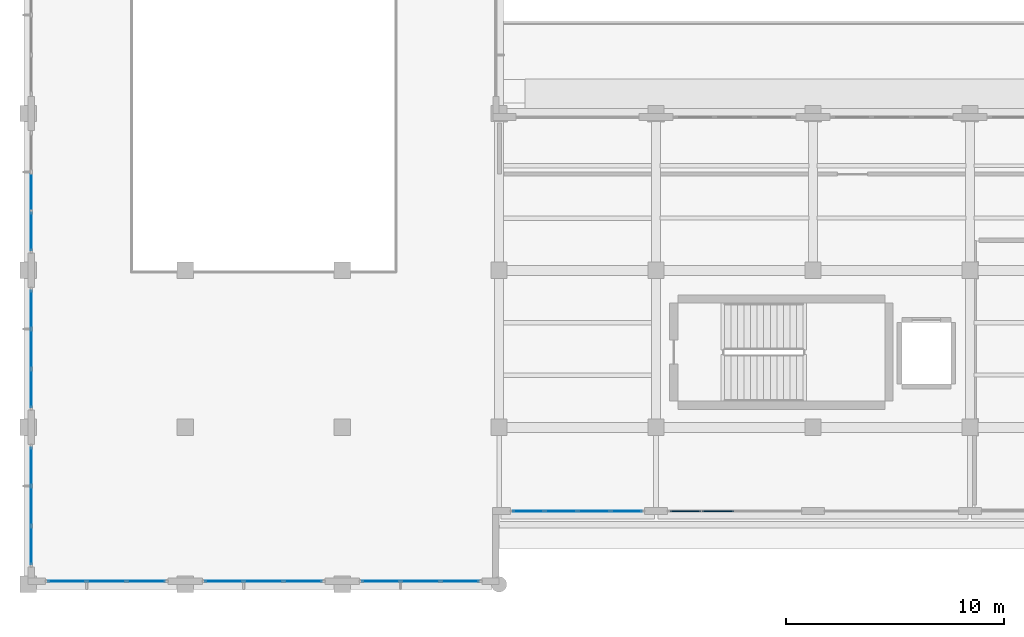
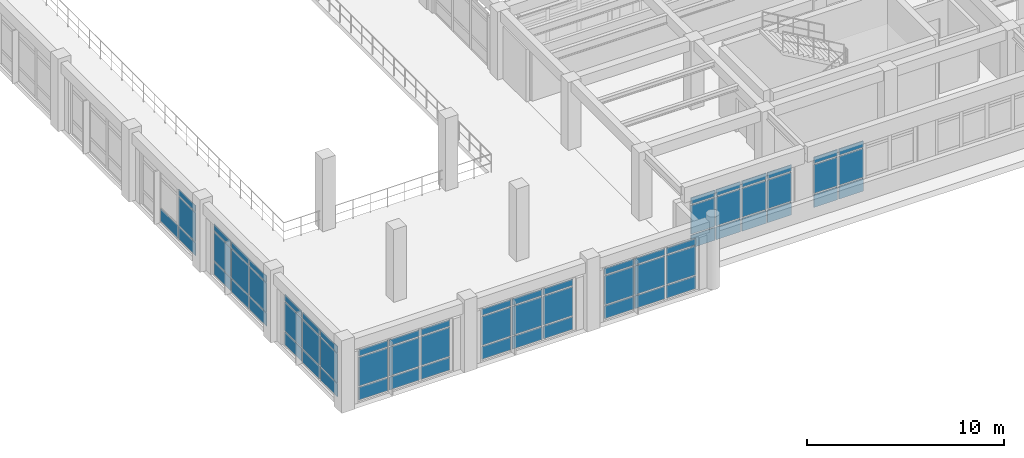
# One storey, part 32 of 64: 67 plates, 8 elements without a shape of their own.
"""IFC4 building model written with IfcOpenShell, lengths in metres."""

from ifc_helpers import new_model, si_unit, direction, frame, origin, origin_2d, place, context, subcontext, project, spatial, rectangle, extrude, material, layer, layer_set, type_object, element, aggregate, save


model = new_model("IFC4")

# Units and contexts
model_context = context("Model", 3, precision=1e-05, world=origin(), true_north=direction((0.0, 1.0)))
body_context = subcontext(model_context, "Body", "Model", "MODEL_VIEW")
ifc_project = project(units=[si_unit("LENGTHUNIT", "METRE"), si_unit("AREAUNIT", "SQUARE_METRE"), si_unit("VOLUMEUNIT", "CUBIC_METRE"), si_unit("PLANEANGLEUNIT", "RADIAN"), si_unit("MASSUNIT", "GRAM", prefix="KILO")], contexts=[model_context])

# Site, building, storey
site_placement = place(None, origin())
site = spatial("IfcSite", under=ifc_project, at=site_placement, CompositionType="ELEMENT")
building_placement = place(site_placement, origin())
building = spatial("IfcBuilding", under=site, at=building_placement, Name="Solenvale Faculty of Natural Sciences", CompositionType="ELEMENT")
storey_placement = place(building_placement, frame((0.0, 0.0, 18.0)))
storey = spatial("IfcBuildingStorey", under=building, at=storey_placement, Name="L04", CompositionType="ELEMENT", Elevation=18.0)

# Curtain wall, plates
ifc_material_1 = material(Name="Anodised bronze aluminium", Category="aluminium")
ifc_layer_1 = layer(ifc_material_1, 0.215087890625)
ifc_layer_set_1 = layer_set([ifc_layer_1], Name="Anodised bronze aluminium")
curtain_wall_type_1 = type_object("IfcCurtainWallType", Name="CW-ATR-UNIT", PredefinedType="USERDEFINED", material=ifc_layer_set_1)
curtain_wall_1_placement = place(storey_placement, origin())
curtain_wall_1 = element("IfcCurtainWall", 1, at=curtain_wall_1_placement, inside=storey, type_object=curtain_wall_type_1, Name="L04 Curtain Wall CW-L04-P1-E3-B9", ObjectType="UNITISED CURTAIN WALL", PredefinedType="USERDEFINED")
ifc_material_2 = material(Name="Triple low-E insulated glass", Category="glass")
ifc_layer_2 = layer(ifc_material_2, 0.031982421875)
ifc_layer_set_2 = layer_set([ifc_layer_2], Name="Triple low-E insulated glass")
plate_type_1 = type_object("IfcPlateType", Name="CWP-PNL-32", PredefinedType="CURTAIN_PANEL", material=ifc_layer_set_2)
plate_1_placement = place(storey_placement, frame((36.142578125, 32.39990234375, 0.074951171875), z_axis=(0.0, 0.0, 1.0), x_axis=(0.0, -1.0, 0.0)))
plate_1 = element("IfcPlate", 2, at=plate_1_placement, type_object=plate_type_1, Name="CW-01 panel 2.1", PredefinedType="CURTAIN_PANEL", context=body_context, shape_type="SweptSolid", body=[
    extrude(rectangle(XDim=1.75830078125, YDim=0.031982421875, at=origin_2d()), origin(), (0.0, 0.0, 1.0), 0.78759765625),
])
plate_2_placement = place(storey_placement, frame((36.142578125, 30.58544921875, 0.074951171875), z_axis=(0.0, 0.0, 1.0), x_axis=(0.0, -1.0, 0.0)))
plate_2 = element("IfcPlate", 3, at=plate_2_placement, type_object=plate_type_1, Name="CW-01 panel 3.1", PredefinedType="CURTAIN_PANEL", context=body_context, shape_type="SweptSolid", body=[
    extrude(rectangle(XDim=1.720947265625, YDim=0.031982421875, at=origin_2d()), origin(), (0.0, 0.0, 1.0), 0.78759765625),
])
plate_3_placement = place(storey_placement, frame((36.142578125, 30.58544921875, 0.9375), z_axis=(0.0, 0.0, 1.0), x_axis=(0.0, -1.0, 0.0)))
plate_3 = element("IfcPlate", 4, at=plate_3_placement, type_object=plate_type_1, Name="CW-01 panel 3.2", PredefinedType="CURTAIN_PANEL", context=body_context, shape_type="SweptSolid", body=[
    extrude(rectangle(XDim=1.720947265625, YDim=0.031982421875, at=origin_2d()), origin(), (0.0, 0.0, 1.0), 1.784912109375),
])
plate_4_placement = place(storey_placement, frame((36.142578125, 30.58544921875, 2.79736328125), z_axis=(0.0, 0.0, 1.0), x_axis=(0.0, -1.0, 0.0)))
plate_4 = element("IfcPlate", 5, at=plate_4_placement, type_object=plate_type_1, Name="CW-01 panel 3.3", PredefinedType="CURTAIN_PANEL", context=body_context, shape_type="SweptSolid", body=[
    extrude(rectangle(XDim=1.720947265625, YDim=0.031982421875, at=origin_2d()), origin(), (0.0, 0.0, 1.0), 0.387451171875),
])
aggregate(curtain_wall_1, [plate_1, plate_2, plate_3, plate_4])

curtain_wall_2_placement = place(storey_placement, origin())
curtain_wall_2 = element("IfcCurtainWall", 6, at=curtain_wall_2_placement, inside=storey, type_object=curtain_wall_type_1, Name="L04 Curtain Wall CW-L04-P1-E3-B10", ObjectType="UNITISED CURTAIN WALL", PredefinedType="USERDEFINED")
ifc_layer_3 = layer(ifc_material_2, 0.035888671875)
ifc_layer_set_3 = layer_set([ifc_layer_3], Name="Triple low-E insulated glass")
plate_type_2 = type_object("IfcPlateType", Name="CWP-PNL-36", PredefinedType="CURTAIN_PANEL", material=ifc_layer_set_3)
plate_5_placement = place(storey_placement, frame((36.142578125, 27.0146484375, 0.074951171875), z_axis=(0.0, 0.0, 1.0), x_axis=(0.0, -1.0, 0.0)))
plate_5 = element("IfcPlate", 7, at=plate_5_placement, type_object=plate_type_2, Name="CW-01 panel 1.1", PredefinedType="CURTAIN_PANEL", context=body_context, shape_type="SweptSolid", body=[
    extrude(rectangle(XDim=1.720947265625, YDim=0.035888671875, at=origin_2d()), origin(), (0.0, 0.0, 1.0), 0.78759765625),
])
plate_6_placement = place(storey_placement, frame((36.142578125, 27.0146484375, 0.9375), z_axis=(0.0, 0.0, 1.0), x_axis=(0.0, -1.0, 0.0)))
plate_6 = element("IfcPlate", 8, at=plate_6_placement, type_object=plate_type_2, Name="CW-01 panel 1.2", PredefinedType="CURTAIN_PANEL", context=body_context, shape_type="SweptSolid", body=[
    extrude(rectangle(XDim=1.720947265625, YDim=0.035888671875, at=origin_2d()), origin(), (0.0, 0.0, 1.0), 1.784912109375),
])
plate_7_placement = place(storey_placement, frame((36.142578125, 27.0146484375, 2.79736328125), z_axis=(0.0, 0.0, 1.0), x_axis=(0.0, -1.0, 0.0)))
plate_7 = element("IfcPlate", 9, at=plate_7_placement, type_object=plate_type_2, Name="CW-01 panel 1.3", PredefinedType="CURTAIN_PANEL", context=body_context, shape_type="SweptSolid", body=[
    extrude(rectangle(XDim=1.720947265625, YDim=0.035888671875, at=origin_2d()), origin(), (0.0, 0.0, 1.0), 0.387451171875),
])
plate_8_placement = place(storey_placement, frame((36.142578125, 25.199951171875, 0.074951171875), z_axis=(0.0, 0.0, 1.0), x_axis=(0.0, -1.0, 0.0)))
plate_8 = element("IfcPlate", 10, at=plate_8_placement, type_object=plate_type_2, Name="CW-01 panel 2.1", PredefinedType="CURTAIN_PANEL", context=body_context, shape_type="SweptSolid", body=[
    extrude(rectangle(XDim=1.75830078125, YDim=0.035888671875, at=origin_2d()), origin(), (0.0, 0.0, 1.0), 0.78759765625),
])
plate_9_placement = place(storey_placement, frame((36.142578125, 25.199951171875, 0.9375), z_axis=(0.0, 0.0, 1.0), x_axis=(0.0, -1.0, 0.0)))
plate_9 = element("IfcPlate", 11, at=plate_9_placement, type_object=plate_type_2, Name="CW-01 panel 2.2", PredefinedType="CURTAIN_PANEL", context=body_context, shape_type="SweptSolid", body=[
    extrude(rectangle(XDim=1.75830078125, YDim=0.035888671875, at=origin_2d()), origin(), (0.0, 0.0, 1.0), 1.784912109375),
])
plate_10_placement = place(storey_placement, frame((36.142578125, 25.199951171875, 2.79736328125), z_axis=(0.0, 0.0, 1.0), x_axis=(0.0, -1.0, 0.0)))
plate_10 = element("IfcPlate", 12, at=plate_10_placement, type_object=plate_type_2, Name="CW-01 panel 2.3", PredefinedType="CURTAIN_PANEL", context=body_context, shape_type="SweptSolid", body=[
    extrude(rectangle(XDim=1.75830078125, YDim=0.035888671875, at=origin_2d()), origin(), (0.0, 0.0, 1.0), 0.387451171875),
])
plate_11_placement = place(storey_placement, frame((36.142578125, 23.385498046875, 0.074951171875), z_axis=(0.0, 0.0, 1.0), x_axis=(0.0, -1.0, 0.0)))
plate_11 = element("IfcPlate", 13, at=plate_11_placement, type_object=plate_type_2, Name="CW-01 panel 3.1", PredefinedType="CURTAIN_PANEL", context=body_context, shape_type="SweptSolid", body=[
    extrude(rectangle(XDim=1.720947265625, YDim=0.035888671875, at=origin_2d()), origin(), (0.0, 0.0, 1.0), 0.78759765625),
])
plate_12_placement = place(storey_placement, frame((36.142578125, 23.385498046875, 0.9375), z_axis=(0.0, 0.0, 1.0), x_axis=(0.0, -1.0, 0.0)))
plate_12 = element("IfcPlate", 14, at=plate_12_placement, type_object=plate_type_2, Name="CW-01 panel 3.2", PredefinedType="CURTAIN_PANEL", context=body_context, shape_type="SweptSolid", body=[
    extrude(rectangle(XDim=1.720947265625, YDim=0.035888671875, at=origin_2d()), origin(), (0.0, 0.0, 1.0), 1.784912109375),
])
plate_13_placement = place(storey_placement, frame((36.142578125, 23.385498046875, 2.79736328125), z_axis=(0.0, 0.0, 1.0), x_axis=(0.0, -1.0, 0.0)))
plate_13 = element("IfcPlate", 15, at=plate_13_placement, type_object=plate_type_2, Name="CW-01 panel 3.3", PredefinedType="CURTAIN_PANEL", context=body_context, shape_type="SweptSolid", body=[
    extrude(rectangle(XDim=1.720947265625, YDim=0.035888671875, at=origin_2d()), origin(), (0.0, 0.0, 1.0), 0.387451171875),
])
aggregate(curtain_wall_2, [plate_5, plate_6, plate_7, plate_8, plate_9, plate_10, plate_11, plate_12, plate_13])

curtain_wall_3_placement = place(storey_placement, origin())
curtain_wall_3 = element("IfcCurtainWall", 16, at=curtain_wall_3_placement, inside=storey, type_object=curtain_wall_type_1, Name="L04 Curtain Wall CW-L04-P1-E4-B1", ObjectType="UNITISED CURTAIN WALL", PredefinedType="USERDEFINED")
plate_14_placement = place(storey_placement, frame((37.785400390625, 14.54248046875, 0.074951171875), z_axis=(0.0, 0.0, 1.0), x_axis=(1.0, 0.0, 0.0)))
plate_14 = element("IfcPlate", 17, at=plate_14_placement, type_object=plate_type_2, Name="CW-01 panel 1.1", PredefinedType="CURTAIN_PANEL", context=body_context, shape_type="SweptSolid", body=[
    extrude(rectangle(XDim=1.720947265625, YDim=0.035888671875, at=origin_2d()), origin(), (0.0, 0.0, 1.0), 0.78759765625),
])
plate_15_placement = place(storey_placement, frame((37.785400390625, 14.54248046875, 0.9375), z_axis=(0.0, 0.0, 1.0), x_axis=(1.0, 0.0, 0.0)))
plate_15 = element("IfcPlate", 18, at=plate_15_placement, type_object=plate_type_2, Name="CW-01 panel 1.2", PredefinedType="CURTAIN_PANEL", context=body_context, shape_type="SweptSolid", body=[
    extrude(rectangle(XDim=1.720947265625, YDim=0.035888671875, at=origin_2d()), origin(), (0.0, 0.0, 1.0), 1.784912109375),
])
plate_16_placement = place(storey_placement, frame((37.785400390625, 14.54248046875, 2.79736328125), z_axis=(0.0, 0.0, 1.0), x_axis=(1.0, 0.0, 0.0)))
plate_16 = element("IfcPlate", 19, at=plate_16_placement, type_object=plate_type_2, Name="CW-01 panel 1.3", PredefinedType="CURTAIN_PANEL", context=body_context, shape_type="SweptSolid", body=[
    extrude(rectangle(XDim=1.720947265625, YDim=0.035888671875, at=origin_2d()), origin(), (0.0, 0.0, 1.0), 0.387451171875),
])
plate_17_placement = place(storey_placement, frame((39.60009765625, 14.54248046875, 0.074951171875), z_axis=(0.0, 0.0, 1.0), x_axis=(1.0, 0.0, 0.0)))
plate_17 = element("IfcPlate", 20, at=plate_17_placement, type_object=plate_type_2, Name="CW-01 panel 2.1", PredefinedType="CURTAIN_PANEL", context=body_context, shape_type="SweptSolid", body=[
    extrude(rectangle(XDim=1.75830078125, YDim=0.035888671875, at=origin_2d()), origin(), (0.0, 0.0, 1.0), 0.78759765625),
])
plate_18_placement = place(storey_placement, frame((39.60009765625, 14.54248046875, 0.9375), z_axis=(0.0, 0.0, 1.0), x_axis=(1.0, 0.0, 0.0)))
plate_18 = element("IfcPlate", 21, at=plate_18_placement, type_object=plate_type_2, Name="CW-01 panel 2.2", PredefinedType="CURTAIN_PANEL", context=body_context, shape_type="SweptSolid", body=[
    extrude(rectangle(XDim=1.75830078125, YDim=0.035888671875, at=origin_2d()), origin(), (0.0, 0.0, 1.0), 1.784912109375),
])
plate_19_placement = place(storey_placement, frame((39.60009765625, 14.54248046875, 2.79736328125), z_axis=(0.0, 0.0, 1.0), x_axis=(1.0, 0.0, 0.0)))
plate_19 = element("IfcPlate", 22, at=plate_19_placement, type_object=plate_type_2, Name="CW-01 panel 2.3", PredefinedType="CURTAIN_PANEL", context=body_context, shape_type="SweptSolid", body=[
    extrude(rectangle(XDim=1.75830078125, YDim=0.035888671875, at=origin_2d()), origin(), (0.0, 0.0, 1.0), 0.387451171875),
])
plate_20_placement = place(storey_placement, frame((41.41455078125, 14.54248046875, 0.074951171875), z_axis=(0.0, 0.0, 1.0), x_axis=(1.0, 0.0, 0.0)))
plate_20 = element("IfcPlate", 23, at=plate_20_placement, type_object=plate_type_2, Name="CW-01 panel 3.1", PredefinedType="CURTAIN_PANEL", context=body_context, shape_type="SweptSolid", body=[
    extrude(rectangle(XDim=1.720947265625, YDim=0.035888671875, at=origin_2d()), origin(), (0.0, 0.0, 1.0), 0.78759765625),
])
plate_21_placement = place(storey_placement, frame((41.41455078125, 14.54248046875, 0.9375), z_axis=(0.0, 0.0, 1.0), x_axis=(1.0, 0.0, 0.0)))
plate_21 = element("IfcPlate", 24, at=plate_21_placement, type_object=plate_type_2, Name="CW-01 panel 3.2", PredefinedType="CURTAIN_PANEL", context=body_context, shape_type="SweptSolid", body=[
    extrude(rectangle(XDim=1.720947265625, YDim=0.035888671875, at=origin_2d()), origin(), (0.0, 0.0, 1.0), 1.784912109375),
])
plate_22_placement = place(storey_placement, frame((41.41455078125, 14.54248046875, 2.79736328125), z_axis=(0.0, 0.0, 1.0), x_axis=(1.0, 0.0, 0.0)))
plate_22 = element("IfcPlate", 25, at=plate_22_placement, type_object=plate_type_2, Name="CW-01 panel 3.3", PredefinedType="CURTAIN_PANEL", context=body_context, shape_type="SweptSolid", body=[
    extrude(rectangle(XDim=1.720947265625, YDim=0.035888671875, at=origin_2d()), origin(), (0.0, 0.0, 1.0), 0.387451171875),
])
aggregate(curtain_wall_3, [plate_14, plate_15, plate_16, plate_17, plate_18, plate_19, plate_20, plate_21, plate_22])

curtain_wall_4_placement = place(storey_placement, origin())
curtain_wall_4 = element("IfcCurtainWall", 26, at=curtain_wall_4_placement, inside=storey, type_object=curtain_wall_type_1, Name="L04 Curtain Wall CW-L04-P1-E3-B11", ObjectType="UNITISED CURTAIN WALL", PredefinedType="USERDEFINED")
ifc_layer_4 = layer(ifc_material_2, 0.0400390625)
ifc_layer_set_4 = layer_set([ifc_layer_4], Name="Triple low-E insulated glass")
plate_type_3 = type_object("IfcPlateType", Name="CWP-PNL-40", PredefinedType="CURTAIN_PANEL", material=ifc_layer_set_4)
plate_23_placement = place(storey_placement, frame((36.142578125, 19.814697265625, 0.074951171875), z_axis=(0.0, 0.0, 1.0), x_axis=(0.0, -1.0, 0.0)))
plate_23 = element("IfcPlate", 27, at=plate_23_placement, type_object=plate_type_3, Name="CW-01 panel 1.1", PredefinedType="CURTAIN_PANEL", context=body_context, shape_type="SweptSolid", body=[
    extrude(rectangle(XDim=1.720947265625, YDim=0.0400390625, at=origin_2d()), origin(), (0.0, 0.0, 1.0), 0.78759765625),
])
plate_24_placement = place(storey_placement, frame((36.142578125, 19.814697265625, 0.9375), z_axis=(0.0, 0.0, 1.0), x_axis=(0.0, -1.0, 0.0)))
plate_24 = element("IfcPlate", 28, at=plate_24_placement, type_object=plate_type_3, Name="CW-01 panel 1.2", PredefinedType="CURTAIN_PANEL", context=body_context, shape_type="SweptSolid", body=[
    extrude(rectangle(XDim=1.720947265625, YDim=0.0400390625, at=origin_2d()), origin(), (0.0, 0.0, 1.0), 1.784912109375),
])
plate_25_placement = place(storey_placement, frame((36.142578125, 19.814697265625, 2.79736328125), z_axis=(0.0, 0.0, 1.0), x_axis=(0.0, -1.0, 0.0)))
plate_25 = element("IfcPlate", 29, at=plate_25_placement, type_object=plate_type_3, Name="CW-01 panel 1.3", PredefinedType="CURTAIN_PANEL", context=body_context, shape_type="SweptSolid", body=[
    extrude(rectangle(XDim=1.720947265625, YDim=0.0400390625, at=origin_2d()), origin(), (0.0, 0.0, 1.0), 0.387451171875),
])
plate_26_placement = place(storey_placement, frame((36.142578125, 18.0, 0.074951171875), z_axis=(0.0, 0.0, 1.0), x_axis=(0.0, -1.0, 0.0)))
plate_26 = element("IfcPlate", 30, at=plate_26_placement, type_object=plate_type_3, Name="CW-01 panel 2.1", PredefinedType="CURTAIN_PANEL", context=body_context, shape_type="SweptSolid", body=[
    extrude(rectangle(XDim=1.75830078125, YDim=0.0400390625, at=origin_2d()), origin(), (0.0, 0.0, 1.0), 0.78759765625),
])
plate_27_placement = place(storey_placement, frame((36.142578125, 18.0, 0.9375), z_axis=(0.0, 0.0, 1.0), x_axis=(0.0, -1.0, 0.0)))
plate_27 = element("IfcPlate", 31, at=plate_27_placement, type_object=plate_type_3, Name="CW-01 panel 2.2", PredefinedType="CURTAIN_PANEL", context=body_context, shape_type="SweptSolid", body=[
    extrude(rectangle(XDim=1.75830078125, YDim=0.0400390625, at=origin_2d()), origin(), (0.0, 0.0, 1.0), 1.784912109375),
])
plate_28_placement = place(storey_placement, frame((36.142578125, 18.0, 2.79736328125), z_axis=(0.0, 0.0, 1.0), x_axis=(0.0, -1.0, 0.0)))
plate_28 = element("IfcPlate", 32, at=plate_28_placement, type_object=plate_type_3, Name="CW-01 panel 2.3", PredefinedType="CURTAIN_PANEL", context=body_context, shape_type="SweptSolid", body=[
    extrude(rectangle(XDim=1.75830078125, YDim=0.0400390625, at=origin_2d()), origin(), (0.0, 0.0, 1.0), 0.387451171875),
])
plate_29_placement = place(storey_placement, frame((36.142578125, 16.185302734375, 0.074951171875), z_axis=(0.0, 0.0, 1.0), x_axis=(0.0, -1.0, 0.0)))
plate_29 = element("IfcPlate", 33, at=plate_29_placement, type_object=plate_type_3, Name="CW-01 panel 3.1", PredefinedType="CURTAIN_PANEL", context=body_context, shape_type="SweptSolid", body=[
    extrude(rectangle(XDim=1.720947265625, YDim=0.0400390625, at=origin_2d()), origin(), (0.0, 0.0, 1.0), 0.78759765625),
])
plate_30_placement = place(storey_placement, frame((36.142578125, 16.185302734375, 0.9375), z_axis=(0.0, 0.0, 1.0), x_axis=(0.0, -1.0, 0.0)))
plate_30 = element("IfcPlate", 34, at=plate_30_placement, type_object=plate_type_3, Name="CW-01 panel 3.2", PredefinedType="CURTAIN_PANEL", context=body_context, shape_type="SweptSolid", body=[
    extrude(rectangle(XDim=1.720947265625, YDim=0.0400390625, at=origin_2d()), origin(), (0.0, 0.0, 1.0), 1.784912109375),
])
plate_31_placement = place(storey_placement, frame((36.142578125, 16.185302734375, 2.79736328125), z_axis=(0.0, 0.0, 1.0), x_axis=(0.0, -1.0, 0.0)))
plate_31 = element("IfcPlate", 35, at=plate_31_placement, type_object=plate_type_3, Name="CW-01 panel 3.3", PredefinedType="CURTAIN_PANEL", context=body_context, shape_type="SweptSolid", body=[
    extrude(rectangle(XDim=1.720947265625, YDim=0.0400390625, at=origin_2d()), origin(), (0.0, 0.0, 1.0), 0.387451171875),
])
aggregate(curtain_wall_4, [plate_23, plate_24, plate_25, plate_26, plate_27, plate_28, plate_29, plate_30, plate_31])

curtain_wall_5_placement = place(storey_placement, origin())
curtain_wall_5 = element("IfcCurtainWall", 36, at=curtain_wall_5_placement, inside=storey, type_object=curtain_wall_type_1, Name="L04 Curtain Wall CW-L04-P1-E4-B2", ObjectType="UNITISED CURTAIN WALL", PredefinedType="USERDEFINED")
plate_32_placement = place(storey_placement, frame((44.9853515625, 14.54248046875, 0.074951171875), z_axis=(0.0, 0.0, 1.0), x_axis=(1.0, 0.0, 0.0)))
plate_32 = element("IfcPlate", 37, at=plate_32_placement, type_object=plate_type_3, Name="CW-01 panel 1.1", PredefinedType="CURTAIN_PANEL", context=body_context, shape_type="SweptSolid", body=[
    extrude(rectangle(XDim=1.720947265625, YDim=0.0400390625, at=origin_2d()), origin(), (0.0, 0.0, 1.0), 0.78759765625),
])
plate_33_placement = place(storey_placement, frame((44.9853515625, 14.54248046875, 0.9375), z_axis=(0.0, 0.0, 1.0), x_axis=(1.0, 0.0, 0.0)))
plate_33 = element("IfcPlate", 38, at=plate_33_placement, type_object=plate_type_3, Name="CW-01 panel 1.2", PredefinedType="CURTAIN_PANEL", context=body_context, shape_type="SweptSolid", body=[
    extrude(rectangle(XDim=1.720947265625, YDim=0.0400390625, at=origin_2d()), origin(), (0.0, 0.0, 1.0), 1.784912109375),
])
plate_34_placement = place(storey_placement, frame((44.9853515625, 14.54248046875, 2.79736328125), z_axis=(0.0, 0.0, 1.0), x_axis=(1.0, 0.0, 0.0)))
plate_34 = element("IfcPlate", 39, at=plate_34_placement, type_object=plate_type_3, Name="CW-01 panel 1.3", PredefinedType="CURTAIN_PANEL", context=body_context, shape_type="SweptSolid", body=[
    extrude(rectangle(XDim=1.720947265625, YDim=0.0400390625, at=origin_2d()), origin(), (0.0, 0.0, 1.0), 0.387451171875),
])
plate_35_placement = place(storey_placement, frame((46.800048828125, 14.54248046875, 0.074951171875), z_axis=(0.0, 0.0, 1.0), x_axis=(1.0, 0.0, 0.0)))
plate_35 = element("IfcPlate", 40, at=plate_35_placement, type_object=plate_type_3, Name="CW-01 panel 2.1", PredefinedType="CURTAIN_PANEL", context=body_context, shape_type="SweptSolid", body=[
    extrude(rectangle(XDim=1.75830078125, YDim=0.0400390625, at=origin_2d()), origin(), (0.0, 0.0, 1.0), 0.78759765625),
])
plate_36_placement = place(storey_placement, frame((46.800048828125, 14.54248046875, 0.9375), z_axis=(0.0, 0.0, 1.0), x_axis=(1.0, 0.0, 0.0)))
plate_36 = element("IfcPlate", 41, at=plate_36_placement, type_object=plate_type_3, Name="CW-01 panel 2.2", PredefinedType="CURTAIN_PANEL", context=body_context, shape_type="SweptSolid", body=[
    extrude(rectangle(XDim=1.75830078125, YDim=0.0400390625, at=origin_2d()), origin(), (0.0, 0.0, 1.0), 1.784912109375),
])
plate_37_placement = place(storey_placement, frame((46.800048828125, 14.54248046875, 2.79736328125), z_axis=(0.0, 0.0, 1.0), x_axis=(1.0, 0.0, 0.0)))
plate_37 = element("IfcPlate", 42, at=plate_37_placement, type_object=plate_type_3, Name="CW-01 panel 2.3", PredefinedType="CURTAIN_PANEL", context=body_context, shape_type="SweptSolid", body=[
    extrude(rectangle(XDim=1.75830078125, YDim=0.0400390625, at=origin_2d()), origin(), (0.0, 0.0, 1.0), 0.387451171875),
])
plate_38_placement = place(storey_placement, frame((48.614501953125, 14.54248046875, 0.074951171875), z_axis=(0.0, 0.0, 1.0), x_axis=(1.0, 0.0, 0.0)))
plate_38 = element("IfcPlate", 43, at=plate_38_placement, type_object=plate_type_3, Name="CW-01 panel 3.1", PredefinedType="CURTAIN_PANEL", context=body_context, shape_type="SweptSolid", body=[
    extrude(rectangle(XDim=1.720947265625, YDim=0.0400390625, at=origin_2d()), origin(), (0.0, 0.0, 1.0), 0.78759765625),
])
plate_39_placement = place(storey_placement, frame((48.614501953125, 14.54248046875, 0.9375), z_axis=(0.0, 0.0, 1.0), x_axis=(1.0, 0.0, 0.0)))
plate_39 = element("IfcPlate", 44, at=plate_39_placement, type_object=plate_type_3, Name="CW-01 panel 3.2", PredefinedType="CURTAIN_PANEL", context=body_context, shape_type="SweptSolid", body=[
    extrude(rectangle(XDim=1.720947265625, YDim=0.0400390625, at=origin_2d()), origin(), (0.0, 0.0, 1.0), 1.784912109375),
])
plate_40_placement = place(storey_placement, frame((48.614501953125, 14.54248046875, 2.79736328125), z_axis=(0.0, 0.0, 1.0), x_axis=(1.0, 0.0, 0.0)))
plate_40 = element("IfcPlate", 45, at=plate_40_placement, type_object=plate_type_3, Name="CW-01 panel 3.3", PredefinedType="CURTAIN_PANEL", context=body_context, shape_type="SweptSolid", body=[
    extrude(rectangle(XDim=1.720947265625, YDim=0.0400390625, at=origin_2d()), origin(), (0.0, 0.0, 1.0), 0.387451171875),
])
aggregate(curtain_wall_5, [plate_32, plate_33, plate_34, plate_35, plate_36, plate_37, plate_38, plate_39, plate_40])

curtain_wall_6_placement = place(storey_placement, origin())
curtain_wall_6 = element("IfcCurtainWall", 46, at=curtain_wall_6_placement, inside=storey, type_object=curtain_wall_type_1, Name="L04 Curtain Wall CW-L04-P1-E4-B3", ObjectType="UNITISED CURTAIN WALL", PredefinedType="USERDEFINED")
ifc_layer_5 = layer(ifc_material_2, 0.0439453125)
ifc_layer_set_5 = layer_set([ifc_layer_5], Name="Triple low-E insulated glass")
plate_type_4 = type_object("IfcPlateType", Name="CWP-PNL-44", PredefinedType="CURTAIN_PANEL", material=ifc_layer_set_5)
plate_41_placement = place(storey_placement, frame((52.185302734375, 14.54248046875, 0.074951171875), z_axis=(0.0, 0.0, 1.0), x_axis=(1.0, 0.0, 0.0)))
plate_41 = element("IfcPlate", 47, at=plate_41_placement, type_object=plate_type_4, Name="CW-01 panel 1.1", PredefinedType="CURTAIN_PANEL", context=body_context, shape_type="SweptSolid", body=[
    extrude(rectangle(XDim=1.720947265625, YDim=0.0439453125, at=origin_2d()), origin(), (0.0, 0.0, 1.0), 0.78759765625),
])
plate_42_placement = place(storey_placement, frame((52.185302734375, 14.54248046875, 0.9375), z_axis=(0.0, 0.0, 1.0), x_axis=(1.0, 0.0, 0.0)))
plate_42 = element("IfcPlate", 48, at=plate_42_placement, type_object=plate_type_4, Name="CW-01 panel 1.2", PredefinedType="CURTAIN_PANEL", context=body_context, shape_type="SweptSolid", body=[
    extrude(rectangle(XDim=1.720947265625, YDim=0.0439453125, at=origin_2d()), origin(), (0.0, 0.0, 1.0), 1.784912109375),
])
plate_43_placement = place(storey_placement, frame((52.185302734375, 14.54248046875, 2.79736328125), z_axis=(0.0, 0.0, 1.0), x_axis=(1.0, 0.0, 0.0)))
plate_43 = element("IfcPlate", 49, at=plate_43_placement, type_object=plate_type_4, Name="CW-01 panel 1.3", PredefinedType="CURTAIN_PANEL", context=body_context, shape_type="SweptSolid", body=[
    extrude(rectangle(XDim=1.720947265625, YDim=0.0439453125, at=origin_2d()), origin(), (0.0, 0.0, 1.0), 0.387451171875),
])
plate_44_placement = place(storey_placement, frame((54.0, 14.54248046875, 0.074951171875), z_axis=(0.0, 0.0, 1.0), x_axis=(1.0, 0.0, 0.0)))
plate_44 = element("IfcPlate", 50, at=plate_44_placement, type_object=plate_type_4, Name="CW-01 panel 2.1", PredefinedType="CURTAIN_PANEL", context=body_context, shape_type="SweptSolid", body=[
    extrude(rectangle(XDim=1.75830078125, YDim=0.0439453125, at=origin_2d()), origin(), (0.0, 0.0, 1.0), 0.78759765625),
])
plate_45_placement = place(storey_placement, frame((54.0, 14.54248046875, 0.9375), z_axis=(0.0, 0.0, 1.0), x_axis=(1.0, 0.0, 0.0)))
plate_45 = element("IfcPlate", 51, at=plate_45_placement, type_object=plate_type_4, Name="CW-01 panel 2.2", PredefinedType="CURTAIN_PANEL", context=body_context, shape_type="SweptSolid", body=[
    extrude(rectangle(XDim=1.75830078125, YDim=0.0439453125, at=origin_2d()), origin(), (0.0, 0.0, 1.0), 1.784912109375),
])
plate_46_placement = place(storey_placement, frame((54.0, 14.54248046875, 2.79736328125), z_axis=(0.0, 0.0, 1.0), x_axis=(1.0, 0.0, 0.0)))
plate_46 = element("IfcPlate", 52, at=plate_46_placement, type_object=plate_type_4, Name="CW-01 panel 2.3", PredefinedType="CURTAIN_PANEL", context=body_context, shape_type="SweptSolid", body=[
    extrude(rectangle(XDim=1.75830078125, YDim=0.0439453125, at=origin_2d()), origin(), (0.0, 0.0, 1.0), 0.387451171875),
])
plate_47_placement = place(storey_placement, frame((55.814697265625, 14.54248046875, 0.074951171875), z_axis=(0.0, 0.0, 1.0), x_axis=(1.0, 0.0, 0.0)))
plate_47 = element("IfcPlate", 53, at=plate_47_placement, type_object=plate_type_4, Name="CW-01 panel 3.1", PredefinedType="CURTAIN_PANEL", context=body_context, shape_type="SweptSolid", body=[
    extrude(rectangle(XDim=1.720947265625, YDim=0.0439453125, at=origin_2d()), origin(), (0.0, 0.0, 1.0), 0.78759765625),
])
plate_48_placement = place(storey_placement, frame((55.814697265625, 14.54248046875, 0.9375), z_axis=(0.0, 0.0, 1.0), x_axis=(1.0, 0.0, 0.0)))
plate_48 = element("IfcPlate", 54, at=plate_48_placement, type_object=plate_type_4, Name="CW-01 panel 3.2", PredefinedType="CURTAIN_PANEL", context=body_context, shape_type="SweptSolid", body=[
    extrude(rectangle(XDim=1.720947265625, YDim=0.0439453125, at=origin_2d()), origin(), (0.0, 0.0, 1.0), 1.784912109375),
])
plate_49_placement = place(storey_placement, frame((55.814697265625, 14.54248046875, 2.79736328125), z_axis=(0.0, 0.0, 1.0), x_axis=(1.0, 0.0, 0.0)))
plate_49 = element("IfcPlate", 55, at=plate_49_placement, type_object=plate_type_4, Name="CW-01 panel 3.3", PredefinedType="CURTAIN_PANEL", context=body_context, shape_type="SweptSolid", body=[
    extrude(rectangle(XDim=1.720947265625, YDim=0.0439453125, at=origin_2d()), origin(), (0.0, 0.0, 1.0), 0.387451171875),
])
aggregate(curtain_wall_6, [plate_41, plate_42, plate_43, plate_44, plate_45, plate_46, plate_47, plate_48, plate_49])

ifc_layer_6 = layer(ifc_material_1, 0.18994140625)
ifc_layer_set_6 = layer_set([ifc_layer_6], Name="Anodised bronze aluminium")
curtain_wall_type_2 = type_object("IfcCurtainWallType", Name="CW-TRAY-REC", PredefinedType="USERDEFINED", material=ifc_layer_set_6)
curtain_wall_7_placement = place(storey_placement, origin())
curtain_wall_7 = element("IfcCurtainWall", 56, at=curtain_wall_7_placement, inside=storey, type_object=curtain_wall_type_2, Name="L04 Curtain Wall CW-L04-P1-E6-B1", ObjectType="UNITISED CURTAIN WALL", PredefinedType="USERDEFINED")
plate_50_placement = place(storey_placement, frame((58.953857421875, 17.762451171875, 0.074951171875), z_axis=(0.0, 0.0, 1.0), x_axis=(1.0, 0.0, 0.0)))
plate_50 = element("IfcPlate", 57, at=plate_50_placement, type_object=plate_type_4, Name="CW-02 panel 1.1", PredefinedType="CURTAIN_PANEL", context=body_context, shape_type="SweptSolid", body=[
    extrude(rectangle(XDim=1.3974609375, YDim=0.0439453125, at=origin_2d()), origin(), (0.0, 0.0, 1.0), 0.78759765625),
])
plate_51_placement = place(storey_placement, frame((58.953857421875, 17.762451171875, 0.9375), z_axis=(0.0, 0.0, 1.0), x_axis=(1.0, 0.0, 0.0)))
plate_51 = element("IfcPlate", 58, at=plate_51_placement, type_object=plate_type_4, Name="CW-02 panel 1.2", PredefinedType="CURTAIN_PANEL", context=body_context, shape_type="SweptSolid", body=[
    extrude(rectangle(XDim=1.3974609375, YDim=0.0439453125, at=origin_2d()), origin(), (0.0, 0.0, 1.0), 1.784912109375),
])
plate_52_placement = place(storey_placement, frame((58.953857421875, 17.762451171875, 2.79736328125), z_axis=(0.0, 0.0, 1.0), x_axis=(1.0, 0.0, 0.0)))
plate_52 = element("IfcPlate", 59, at=plate_52_placement, type_object=plate_type_4, Name="CW-02 panel 1.3", PredefinedType="CURTAIN_PANEL", context=body_context, shape_type="SweptSolid", body=[
    extrude(rectangle(XDim=1.3974609375, YDim=0.0439453125, at=origin_2d()), origin(), (0.0, 0.0, 1.0), 0.387451171875),
])
plate_53_placement = place(storey_placement, frame((60.445068359375, 17.762451171875, 0.074951171875), z_axis=(0.0, 0.0, 1.0), x_axis=(1.0, 0.0, 0.0)))
plate_53 = element("IfcPlate", 60, at=plate_53_placement, type_object=plate_type_4, Name="CW-02 panel 2.1", PredefinedType="CURTAIN_PANEL", context=body_context, shape_type="SweptSolid", body=[
    extrude(rectangle(XDim=1.43505859375, YDim=0.0439453125, at=origin_2d()), origin(), (0.0, 0.0, 1.0), 0.78759765625),
])
plate_54_placement = place(storey_placement, frame((60.445068359375, 17.762451171875, 0.9375), z_axis=(0.0, 0.0, 1.0), x_axis=(1.0, 0.0, 0.0)))
plate_54 = element("IfcPlate", 61, at=plate_54_placement, type_object=plate_type_4, Name="CW-02 panel 2.2", PredefinedType="CURTAIN_PANEL", context=body_context, shape_type="SweptSolid", body=[
    extrude(rectangle(XDim=1.43505859375, YDim=0.0439453125, at=origin_2d()), origin(), (0.0, 0.0, 1.0), 1.784912109375),
])
plate_55_placement = place(storey_placement, frame((60.445068359375, 17.762451171875, 2.79736328125), z_axis=(0.0, 0.0, 1.0), x_axis=(1.0, 0.0, 0.0)))
plate_55 = element("IfcPlate", 62, at=plate_55_placement, type_object=plate_type_4, Name="CW-02 panel 2.3", PredefinedType="CURTAIN_PANEL", context=body_context, shape_type="SweptSolid", body=[
    extrude(rectangle(XDim=1.43505859375, YDim=0.0439453125, at=origin_2d()), origin(), (0.0, 0.0, 1.0), 0.387451171875),
])
plate_56_placement = place(storey_placement, frame((61.955078125, 17.762451171875, 0.074951171875), z_axis=(0.0, 0.0, 1.0), x_axis=(1.0, 0.0, 0.0)))
plate_56 = element("IfcPlate", 63, at=plate_56_placement, type_object=plate_type_4, Name="CW-02 panel 3.1", PredefinedType="CURTAIN_PANEL", context=body_context, shape_type="SweptSolid", body=[
    extrude(rectangle(XDim=1.43505859375, YDim=0.0439453125, at=origin_2d()), origin(), (0.0, 0.0, 1.0), 0.78759765625),
])
plate_57_placement = place(storey_placement, frame((61.955078125, 17.762451171875, 0.9375), z_axis=(0.0, 0.0, 1.0), x_axis=(1.0, 0.0, 0.0)))
plate_57 = element("IfcPlate", 64, at=plate_57_placement, type_object=plate_type_4, Name="CW-02 panel 3.2", PredefinedType="CURTAIN_PANEL", context=body_context, shape_type="SweptSolid", body=[
    extrude(rectangle(XDim=1.43505859375, YDim=0.0439453125, at=origin_2d()), origin(), (0.0, 0.0, 1.0), 1.784912109375),
])
plate_58_placement = place(storey_placement, frame((61.955078125, 17.762451171875, 2.79736328125), z_axis=(0.0, 0.0, 1.0), x_axis=(1.0, 0.0, 0.0)))
plate_58 = element("IfcPlate", 65, at=plate_58_placement, type_object=plate_type_4, Name="CW-02 panel 3.3", PredefinedType="CURTAIN_PANEL", context=body_context, shape_type="SweptSolid", body=[
    extrude(rectangle(XDim=1.43505859375, YDim=0.0439453125, at=origin_2d()), origin(), (0.0, 0.0, 1.0), 0.387451171875),
])
plate_59_placement = place(storey_placement, frame((63.4462890625, 17.762451171875, 0.074951171875), z_axis=(0.0, 0.0, 1.0), x_axis=(1.0, 0.0, 0.0)))
plate_59 = element("IfcPlate", 66, at=plate_59_placement, type_object=plate_type_4, Name="CW-02 panel 4.1", PredefinedType="CURTAIN_PANEL", context=body_context, shape_type="SweptSolid", body=[
    extrude(rectangle(XDim=1.3974609375, YDim=0.0439453125, at=origin_2d()), origin(), (0.0, 0.0, 1.0), 0.78759765625),
])
plate_60_placement = place(storey_placement, frame((63.4462890625, 17.762451171875, 0.9375), z_axis=(0.0, 0.0, 1.0), x_axis=(1.0, 0.0, 0.0)))
plate_60 = element("IfcPlate", 67, at=plate_60_placement, type_object=plate_type_4, Name="CW-02 panel 4.2", PredefinedType="CURTAIN_PANEL", context=body_context, shape_type="SweptSolid", body=[
    extrude(rectangle(XDim=1.3974609375, YDim=0.0439453125, at=origin_2d()), origin(), (0.0, 0.0, 1.0), 1.784912109375),
])
plate_61_placement = place(storey_placement, frame((63.4462890625, 17.762451171875, 2.79736328125), z_axis=(0.0, 0.0, 1.0), x_axis=(1.0, 0.0, 0.0)))
plate_61 = element("IfcPlate", 68, at=plate_61_placement, type_object=plate_type_4, Name="CW-02 panel 4.3", PredefinedType="CURTAIN_PANEL", context=body_context, shape_type="SweptSolid", body=[
    extrude(rectangle(XDim=1.3974609375, YDim=0.0439453125, at=origin_2d()), origin(), (0.0, 0.0, 1.0), 0.387451171875),
])
aggregate(curtain_wall_7, [plate_50, plate_51, plate_52, plate_53, plate_54, plate_55, plate_56, plate_57, plate_58, plate_59, plate_60, plate_61])

curtain_wall_8_placement = place(storey_placement, origin())
curtain_wall_8 = element("IfcCurtainWall", 69, at=curtain_wall_8_placement, inside=storey, type_object=curtain_wall_type_2, Name="L04 Curtain Wall CW-L04-P1-E6-B2", ObjectType="UNITISED CURTAIN WALL", PredefinedType="USERDEFINED")
ifc_layer_7 = layer(ifc_material_1, 0.048095703125)
ifc_layer_set_7 = layer_set([ifc_layer_7], Name="Anodised bronze aluminium")
plate_type_5 = type_object("IfcPlateType", Name="CWP-PNL-48", PredefinedType="CURTAIN_PANEL", material=ifc_layer_set_7)
plate_62_placement = place(storey_placement, frame((66.15380859375, 17.762451171875, 0.074951171875), z_axis=(0.0, 0.0, 1.0), x_axis=(1.0, 0.0, 0.0)))
plate_62 = element("IfcPlate", 70, at=plate_62_placement, type_object=plate_type_5, Name="CW-02 panel 1.1", PredefinedType="CURTAIN_PANEL", context=body_context, shape_type="SweptSolid", body=[
    extrude(rectangle(XDim=1.3974609375, YDim=0.048095703125, at=origin_2d()), origin(), (0.0, 0.0, 1.0), 0.78759765625),
])
plate_63_placement = place(storey_placement, frame((66.15380859375, 17.762451171875, 0.9375), z_axis=(0.0, 0.0, 1.0), x_axis=(1.0, 0.0, 0.0)))
plate_63 = element("IfcPlate", 71, at=plate_63_placement, type_object=plate_type_5, Name="CW-02 panel 1.2", PredefinedType="CURTAIN_PANEL", context=body_context, shape_type="SweptSolid", body=[
    extrude(rectangle(XDim=1.3974609375, YDim=0.048095703125, at=origin_2d()), origin(), (0.0, 0.0, 1.0), 1.784912109375),
])
plate_64_placement = place(storey_placement, frame((66.15380859375, 17.762451171875, 2.79736328125), z_axis=(0.0, 0.0, 1.0), x_axis=(1.0, 0.0, 0.0)))
plate_64 = element("IfcPlate", 72, at=plate_64_placement, type_object=plate_type_5, Name="CW-02 panel 1.3", PredefinedType="CURTAIN_PANEL", context=body_context, shape_type="SweptSolid", body=[
    extrude(rectangle(XDim=1.3974609375, YDim=0.048095703125, at=origin_2d()), origin(), (0.0, 0.0, 1.0), 0.387451171875),
])
plate_65_placement = place(storey_placement, frame((67.64501953125, 17.762451171875, 0.074951171875), z_axis=(0.0, 0.0, 1.0), x_axis=(1.0, 0.0, 0.0)))
plate_65 = element("IfcPlate", 73, at=plate_65_placement, type_object=plate_type_5, Name="CW-02 panel 2.1", PredefinedType="CURTAIN_PANEL", context=body_context, shape_type="SweptSolid", body=[
    extrude(rectangle(XDim=1.43505859375, YDim=0.048095703125, at=origin_2d()), origin(), (0.0, 0.0, 1.0), 0.78759765625),
])
plate_66_placement = place(storey_placement, frame((67.64501953125, 17.762451171875, 0.9375), z_axis=(0.0, 0.0, 1.0), x_axis=(1.0, 0.0, 0.0)))
plate_66 = element("IfcPlate", 74, at=plate_66_placement, type_object=plate_type_5, Name="CW-02 panel 2.2", PredefinedType="CURTAIN_PANEL", context=body_context, shape_type="SweptSolid", body=[
    extrude(rectangle(XDim=1.43505859375, YDim=0.048095703125, at=origin_2d()), origin(), (0.0, 0.0, 1.0), 1.784912109375),
])
plate_67_placement = place(storey_placement, frame((67.64501953125, 17.762451171875, 2.79736328125), z_axis=(0.0, 0.0, 1.0), x_axis=(1.0, 0.0, 0.0)))
plate_67 = element("IfcPlate", 75, at=plate_67_placement, type_object=plate_type_5, Name="CW-02 panel 2.3", PredefinedType="CURTAIN_PANEL", context=body_context, shape_type="SweptSolid", body=[
    extrude(rectangle(XDim=1.43505859375, YDim=0.048095703125, at=origin_2d()), origin(), (0.0, 0.0, 1.0), 0.387451171875),
])
aggregate(curtain_wall_8, [plate_62, plate_63, plate_64, plate_65, plate_66, plate_67])

save(model, "model.ifc")
